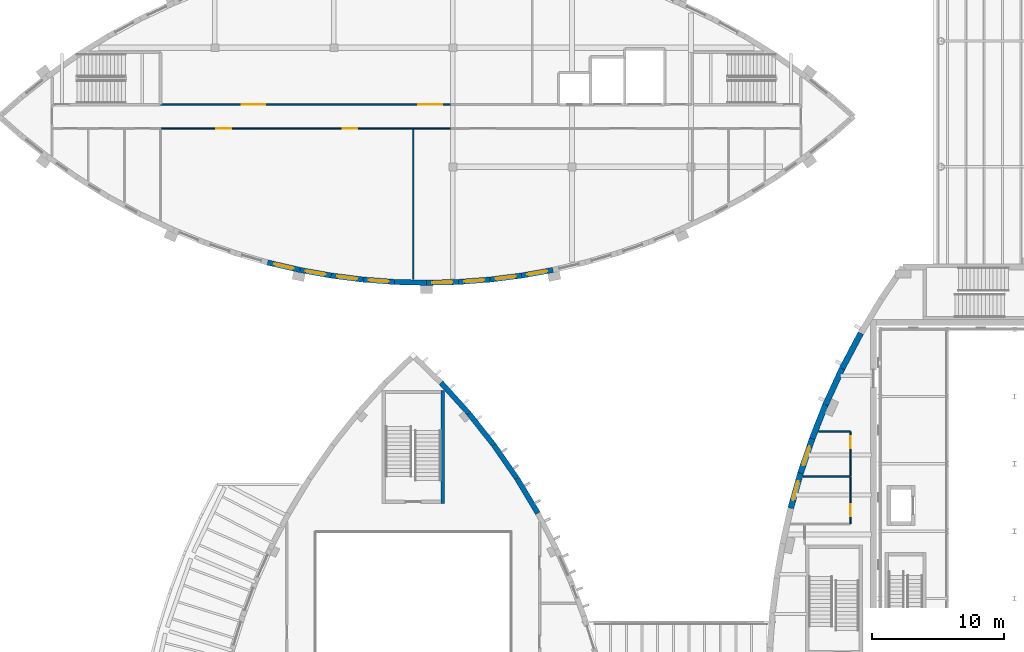
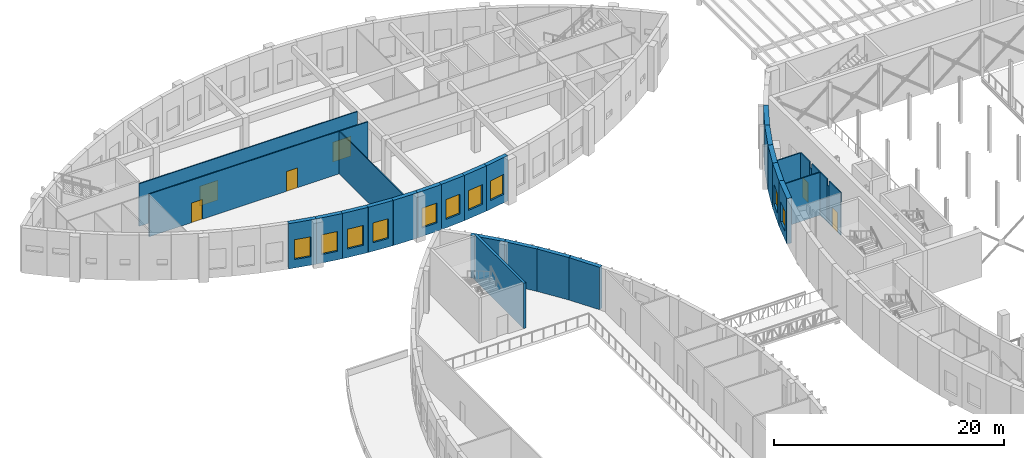
# One storey, part 65 of 93: 31 walls, 10 windows, 6 doors, 16 openings.
"""IFC4 building model written with IfcOpenShell, lengths in metres."""

from ifc_helpers import new_model, si_unit, direction, frame, frame_2d, origin, place, context, subcontext, project, spatial, rectangle, extrude, material, layer, layer_set, type_object, element, fill, save


model = new_model("IFC4")

# Units and contexts
model_context = context("Model", 3, precision=1e-05, world=origin(), true_north=direction((0.0, 1.0)))
body_context = subcontext(model_context, "Body", "Model", "MODEL_VIEW")
ifc_project = project(units=[si_unit("LENGTHUNIT", "METRE"), si_unit("AREAUNIT", "SQUARE_METRE"), si_unit("VOLUMEUNIT", "CUBIC_METRE"), si_unit("PLANEANGLEUNIT", "RADIAN"), si_unit("MASSUNIT", "GRAM", prefix="KILO")], contexts=[model_context])

# Site, building, storey
site_placement = place(None, origin())
site = spatial("IfcSite", under=ifc_project, at=site_placement, CompositionType="ELEMENT")
building_placement = place(site_placement, origin())
building = spatial("IfcBuilding", under=site, at=building_placement, Name="Tide Square Theatres", CompositionType="ELEMENT")
storey_placement = place(building_placement, frame((0.0, 0.0, 5.39990234375)))
storey = spatial("IfcBuildingStorey", under=building, at=storey_placement, Name="L01", CompositionType="ELEMENT", Elevation=5.39990234375)

# Wall, openings, doors
ifc_material_1 = material(Name="Gypsum board on steel studs", Category="steel")
ifc_layer_1 = layer(ifc_material_1, 0.10009765625)
ifc_layer_set_1 = layer_set([ifc_layer_1], Name="Gypsum board on steel studs")
wall_type_1 = type_object("IfcWallType", Name="Partition 100 thick", PredefinedType="PARTITIONING", material=ifc_layer_set_1)
wall_1_placement = place(storey_placement, frame((36.0, 96.89990234375, 0.0), z_axis=(0.0, 0.0, 1.0), x_axis=(-1.0, 0.0, 0.0)))
wall_1 = element("IfcWall", 1, at=wall_1_placement, inside=storey, type_object=wall_type_1, Name="Scenery Workshops partition", PredefinedType="PARTITIONING", context=body_context, shape_type="SweptSolid", body=[
    extrude(rectangle(XDim=19.10009765625, YDim=0.10009765625, at=frame_2d((9.550048828125, 0.0))), origin(), (0.0, 0.0, 1.0), 4.52001953125),
])
opening_1_placement = place(wall_1_placement, frame((13.77490234375, 0.0, 0.0)))
opening_1 = element("IfcOpeningElement", 2, at=opening_1_placement, cuts=wall_1, Name="Opening W1-09", PredefinedType="OPENING", context=body_context, shape_type="SweptSolid", body=[
    extrude(rectangle(XDim=1.10009765625, YDim=2.10009765625, at=frame_2d((0.550048828125, 1.050048828125))), frame((0.0, 0.06005859375, 0.0), z_axis=(0.0, -1.0, 0.0), x_axis=(1.0, 0.0, 0.0)), (0.0, 0.0, 1.0), 0.1201171875),
])
opening_2_placement = place(wall_1_placement, frame((4.22509765625, 0.0, 0.0)))
opening_2 = element("IfcOpeningElement", 3, at=opening_2_placement, cuts=wall_1, Name="Opening W1-10", PredefinedType="OPENING", context=body_context, shape_type="SweptSolid", body=[
    extrude(rectangle(XDim=1.10009765625, YDim=2.10009765625, at=frame_2d((0.550048828125, 1.050048828125))), frame((0.0, 0.06005859375, 0.0), z_axis=(0.0, -1.0, 0.0), x_axis=(1.0, 0.0, 0.0)), (0.0, 0.0, 1.0), 0.1201171875),
])
ifc_material_2 = material(Name="Painted steel", Category="steel")
door_type_1 = type_object("IfcDoorType", Name="Door 1100 x 2100 single leaf", OperationType="NOTDEFINED", PredefinedType="DOOR", material=ifc_material_2)
door_1_placement = place(opening_1_placement, origin())
door_1 = element("IfcDoor", 4, at=door_1_placement, inside=storey, type_object=door_type_1, Name="Scenery Workshops door W1-09 to Paint Workshop", OperationType="SINGLE_SWING_RIGHT", OverallHeight=2.10009765625, OverallWidth=1.10009765625, PredefinedType="DOOR", context=body_context, shape_type="SweptSolid", body=[
    extrude(rectangle(XDim=1.10009765625, YDim=2.10009765625, at=frame_2d((0.550048828125, 1.050048828125))), frame((0.0, 0.02490234375, 0.0), z_axis=(0.0, -1.0, 0.0), x_axis=(1.0, 0.0, 0.0)), (0.0, 0.0, 1.0), 0.050048828125),
])
fill(opening_1, door_1)
door_2_placement = place(opening_2_placement, origin())
door_2 = element("IfcDoor", 5, at=door_2_placement, inside=storey, type_object=door_type_1, Name="Scenery Workshops door W1-10 to Paint Workshop", OperationType="SINGLE_SWING_LEFT", OverallHeight=2.10009765625, OverallWidth=1.10009765625, PredefinedType="DOOR", context=body_context, shape_type="SweptSolid", body=[
    extrude(rectangle(XDim=1.10009765625, YDim=2.10009765625, at=frame_2d((0.550048828125, 1.050048828125))), frame((0.0, 0.02490234375, 0.0), z_axis=(0.0, -1.0, 0.0), x_axis=(1.0, 0.0, 0.0)), (0.0, 0.0, 1.0), 0.050048828125),
])
fill(opening_2, door_2)

wall_2_placement = place(storey_placement, frame((16.929931640625, 98.699951171875, 0.0), z_axis=(0.0, 0.0, 1.0), x_axis=(1.0, 0.0, 0.0)))
wall_2 = element("IfcWall", 6, at=wall_2_placement, inside=storey, type_object=wall_type_1, Name="Scenery Workshops partition", PredefinedType="PARTITIONING", context=body_context, shape_type="SweptSolid", body=[
    extrude(rectangle(XDim=21.89501953125, YDim=0.10009765625, at=frame_2d((10.947509765625, 0.0))), origin(), (0.0, 0.0, 1.0), 4.52001953125),
])
opening_3_placement = place(wall_2_placement, frame((19.445068359375, 0.0, 0.0)))
opening_3 = element("IfcOpeningElement", 7, at=opening_3_placement, cuts=wall_2, Name="Opening W1-13", PredefinedType="OPENING", context=body_context, shape_type="SweptSolid", body=[
    extrude(rectangle(XDim=1.800048828125, YDim=2.10009765625, at=frame_2d((0.89990234375, 1.050048828125))), frame((0.0, 0.06005859375, 0.0), z_axis=(0.0, -1.0, 0.0), x_axis=(1.0, 0.0, 0.0)), (0.0, 0.0, 1.0), 0.1201171875),
])
opening_4_placement = place(wall_2_placement, frame((6.094970703125, 0.0, 0.0)))
opening_4 = element("IfcOpeningElement", 8, at=opening_4_placement, cuts=wall_2, Name="Opening W1-14", PredefinedType="OPENING", context=body_context, shape_type="SweptSolid", body=[
    extrude(rectangle(XDim=1.800048828125, YDim=2.10009765625, at=frame_2d((0.89990234375, 1.050048828125))), frame((0.0, 0.06005859375, 0.0), z_axis=(0.0, -1.0, 0.0), x_axis=(1.0, 0.0, 0.0)), (0.0, 0.0, 1.0), 0.1201171875),
])
ifc_material_3 = material(Name="Hardwood timber", Category="wood")
door_type_2 = type_object("IfcDoorType", Name="Door 1800 x 2100 double leaf", OperationType="DOUBLE_DOOR_SINGLE_SWING", PredefinedType="DOOR", material=ifc_material_3)
door_3_placement = place(opening_3_placement, origin())
door_3 = element("IfcDoor", 9, at=door_3_placement, inside=storey, type_object=door_type_2, Name="Scenery Workshops door W1-13 to Costume Workshop", OperationType="DOUBLE_DOOR_SINGLE_SWING", OverallHeight=2.10009765625, OverallWidth=1.800048828125, PredefinedType="DOOR", context=body_context, shape_type="SweptSolid", body=[
    extrude(rectangle(XDim=1.800048828125, YDim=2.10009765625, at=frame_2d((0.89990234375, 1.050048828125))), frame((0.0, 0.02490234375, 0.0), z_axis=(0.0, -1.0, 0.0), x_axis=(1.0, 0.0, 0.0)), (0.0, 0.0, 1.0), 0.050048828125),
])
fill(opening_3, door_3)
door_4_placement = place(opening_4_placement, origin())
door_4 = element("IfcDoor", 10, at=door_4_placement, inside=storey, type_object=door_type_2, Name="Scenery Workshops door W1-14 to Costume Workshop", OperationType="DOUBLE_DOOR_SINGLE_SWING", OverallHeight=2.10009765625, OverallWidth=1.800048828125, PredefinedType="DOOR", context=body_context, shape_type="SweptSolid", body=[
    extrude(rectangle(XDim=1.800048828125, YDim=2.10009765625, at=frame_2d((0.89990234375, 1.050048828125))), frame((0.0, 0.02490234375, 0.0), z_axis=(0.0, -1.0, 0.0), x_axis=(1.0, 0.0, 0.0)), (0.0, 0.0, 1.0), 0.050048828125),
])
fill(opening_4, door_4)

# Walls
wall_3_placement = place(storey_placement, frame((36.0, 96.8701171875, 0.0), z_axis=(0.0, 0.0, 1.0), x_axis=(0.0, -1.0, 0.0)))
element("IfcWall", 11, at=wall_3_placement, inside=storey, type_object=wall_type_1, Name="Scenery Workshops partition", PredefinedType="PARTITIONING", context=body_context, shape_type="SweptSolid", body=[
    extrude(rectangle(XDim=11.363525390625, YDim=0.10009765625, at=frame_2d((5.681640625, 0.0))), origin(), (0.0, 0.0, 1.0), 4.52001953125),
])
wall_4_placement = place(storey_placement, frame((38.824951171875, 96.89990234375, 0.0), z_axis=(0.0, 0.0, 1.0), x_axis=(-1.0, 0.0, 0.0)))
element("IfcWall", 12, at=wall_4_placement, inside=storey, type_object=wall_type_1, Name="Scenery Workshops partition", PredefinedType="PARTITIONING", context=body_context, shape_type="SweptSolid", body=[
    extrude(rectangle(XDim=2.824951171875, YDim=0.10009765625, at=frame_2d((1.41259765625, 0.0))), origin(), (0.0, 0.0, 1.0), 4.52001953125),
])
wall_5_placement = place(storey_placement, frame((65.482177734375, 70.60009765625, 0.0), z_axis=(0.0, 0.0, 1.0), x_axis=(1.0, 0.0, 0.0)))
element("IfcWall", 13, at=wall_5_placement, inside=storey, type_object=wall_type_1, Name="Partition", PredefinedType="PARTITIONING", context=body_context, shape_type="SweptSolid", body=[
    extrude(rectangle(XDim=3.5478515625, YDim=0.10009765625, at=frame_2d((1.77392578125, 0.0))), origin(), (0.0, 0.0, 1.0), 4.550048828125),
])
wall_6_placement = place(storey_placement, frame((66.653076171875, 74.0, 0.0), z_axis=(0.0, 0.0, 1.0), x_axis=(1.0, 0.0, 0.0)))
element("IfcWall", 14, at=wall_6_placement, inside=storey, type_object=wall_type_1, Name="Partition", PredefinedType="PARTITIONING", context=body_context, shape_type="SweptSolid", body=[
    extrude(rectangle(XDim=2.36376953125, YDim=0.10009765625, at=frame_2d((1.181884765625, 0.0))), origin(), (0.0, 0.0, 1.0), 4.550048828125),
])
wall_7_placement = place(storey_placement, frame((69.050048828125, 70.56689453125, 0.0), z_axis=(0.0, 0.0, 1.0), x_axis=(0.0, -1.0, 0.0)))
element("IfcWall", 15, at=wall_7_placement, inside=storey, type_object=wall_type_1, Name="Partition", PredefinedType="PARTITIONING", context=body_context, shape_type="SweptSolid", body=[
    extrude(rectangle(XDim=1.18701171875, YDim=0.10009765625, at=frame_2d((0.593505859375, 0.0))), origin(), (0.0, 0.0, 1.0), 4.550048828125),
])
wall_8_placement = place(storey_placement, frame((69.050048828125, 69.3798828125, 0.0), z_axis=(0.0, 0.0, 1.0), x_axis=(0.0, -1.0, 0.0)))
element("IfcWall", 16, at=wall_8_placement, inside=storey, type_object=wall_type_1, Name="Partition", PredefinedType="PARTITIONING", context=body_context, shape_type="SweptSolid", body=[
    extrude(rectangle(XDim=0.35986328125, YDim=0.10009765625, at=frame_2d((0.179931640625, 0.0))), origin(), (0.0, 0.0, 1.0), 3.920166015625),
])

# Wall, opening, door
wall_9_placement = place(storey_placement, frame((69.050048828125, 69.02001953125, 0.0), z_axis=(0.0, 0.0, 1.0), x_axis=(0.0, -1.0, 0.0)))
wall_9 = element("IfcWall", 17, at=wall_9_placement, inside=storey, type_object=wall_type_1, Name="Partition", PredefinedType="PARTITIONING", context=body_context, shape_type="SweptSolid", body=[
    extrude(rectangle(XDim=1.996826171875, YDim=0.10009765625, at=frame_2d((0.99853515625, 0.0))), origin(), (0.0, 0.0, 1.0), 4.550048828125),
])
opening_5_placement = place(wall_9_placement, frame((0.54833984375, 0.0, 0.0)))
opening_5 = element("IfcOpeningElement", 18, at=opening_5_placement, cuts=wall_9, Name="Opening M01-16", PredefinedType="OPENING", context=body_context, shape_type="SweptSolid", body=[
    extrude(rectangle(XDim=0.89990234375, YDim=2.10009765625, at=frame_2d((0.449951171875, 1.050048828125))), frame((0.0, 0.06005859375, 0.0), z_axis=(0.0, -1.0, 0.0), x_axis=(1.0, 0.0, 0.0)), (0.0, 0.0, 1.0), 0.1201171875),
])
ifc_material_4 = material(Name="Hardwood timber", Category="wood")
door_type_3 = type_object("IfcDoorType", Name="Door 900 x 2100 single leaf", OperationType="NOTDEFINED", PredefinedType="DOOR", material=ifc_material_4)
door_5_placement = place(opening_5_placement, frame((0.89990234375, 0.0, 0.0), z_axis=(0.0, 0.0, 1.0), x_axis=(-1.0, 0.0, 0.0)))
door_5 = element("IfcDoor", 19, at=door_5_placement, inside=storey, type_object=door_type_3, Name="Principal Dressing Room 01 door", OperationType="SINGLE_SWING_LEFT", OverallHeight=2.10009765625, OverallWidth=0.89990234375, PredefinedType="DOOR", context=body_context, shape_type="SweptSolid", body=[
    extrude(rectangle(XDim=0.89990234375, YDim=2.10009765625, at=frame_2d((0.449951171875, 1.050048828125))), frame((0.0, 0.02490234375, 0.0), z_axis=(0.0, -1.0, 0.0), x_axis=(1.0, 0.0, 0.0)), (0.0, 0.0, 1.0), 0.050048828125),
])
fill(opening_5, door_5)

wall_10_placement = place(storey_placement, frame((69.050048828125, 73.976806640625, 0.0), z_axis=(0.0, 0.0, 1.0), x_axis=(0.0, -1.0, 0.0)))
wall_10 = element("IfcWall", 20, at=wall_10_placement, inside=storey, type_object=wall_type_1, Name="Partition", PredefinedType="PARTITIONING", context=body_context, shape_type="SweptSolid", body=[
    extrude(rectangle(XDim=1.596923828125, YDim=0.10009765625, at=frame_2d((0.79833984375, 0.0))), origin(), (0.0, 0.0, 1.0), 4.550048828125),
])
opening_6_placement = place(wall_10_placement, frame((0.348388671875, 0.0, 0.0)))
opening_6 = element("IfcOpeningElement", 21, at=opening_6_placement, cuts=wall_10, Name="Opening M01-18", PredefinedType="OPENING", context=body_context, shape_type="SweptSolid", body=[
    extrude(rectangle(XDim=0.89990234375, YDim=2.10009765625, at=frame_2d((0.449951171875, 1.050048828125))), frame((0.0, 0.06005859375, 0.0), z_axis=(0.0, -1.0, 0.0), x_axis=(1.0, 0.0, 0.0)), (0.0, 0.0, 1.0), 0.1201171875),
])
door_6_placement = place(opening_6_placement, frame((0.89990234375, 0.0, 0.0), z_axis=(0.0, 0.0, 1.0), x_axis=(-1.0, 0.0, 0.0)))
door_6 = element("IfcDoor", 22, at=door_6_placement, inside=storey, type_object=door_type_3, Name="Principal Dressing Room 02 door", OperationType="SINGLE_SWING_LEFT", OverallHeight=2.10009765625, OverallWidth=0.89990234375, PredefinedType="DOOR", context=body_context, shape_type="SweptSolid", body=[
    extrude(rectangle(XDim=0.89990234375, YDim=2.10009765625, at=frame_2d((0.449951171875, 1.050048828125))), frame((0.0, 0.02490234375, 0.0), z_axis=(0.0, -1.0, 0.0), x_axis=(1.0, 0.0, 0.0)), (0.0, 0.0, 1.0), 0.050048828125),
])
fill(opening_6, door_6)

# Walls
wall_11_placement = place(storey_placement, frame((69.050048828125, 72.3798828125, 0.0), z_axis=(0.0, 0.0, 1.0), x_axis=(0.0, -1.0, 0.0)))
element("IfcWall", 23, at=wall_11_placement, inside=storey, type_object=wall_type_1, Name="Partition", PredefinedType="PARTITIONING", context=body_context, shape_type="SweptSolid", body=[
    extrude(rectangle(XDim=0.35986328125, YDim=0.10009765625, at=frame_2d((0.179931640625, 0.0))), origin(), (0.0, 0.0, 1.0), 3.920166015625),
])
wall_12_placement = place(storey_placement, frame((69.050048828125, 72.02001953125, 0.0), z_axis=(0.0, 0.0, 1.0), x_axis=(0.0, -1.0, 0.0)))
element("IfcWall", 24, at=wall_12_placement, inside=storey, type_object=wall_type_1, Name="Partition", PredefinedType="PARTITIONING", context=body_context, shape_type="SweptSolid", body=[
    extrude(rectangle(XDim=1.38671875, YDim=0.10009765625, at=frame_2d((0.693359375, 0.0))), origin(), (0.0, 0.0, 1.0), 4.550048828125),
])
ifc_material_5 = material(Name="Concrete C40", Category="concrete")
ifc_layer_2 = layer(ifc_material_5, 0.39990234375)
ifc_layer_set_2 = layer_set([ifc_layer_2], Name="Concrete C40")
wall_type_2 = type_object("IfcWallType", Name="RC curved wall 400 thick", PredefinedType="SOLIDWALL", material=ifc_layer_set_2)
wall_13_placement = place(storey_placement, frame((45.421630859375, 67.813720703125, 0.0), z_axis=(0.0, 0.0, 1.0), x_axis=(-0.515387841983, 0.856957042293, 0.0)))
element("IfcWall", 25, at=wall_13_placement, inside=storey, type_object=wall_type_2, Name="Studio Theatre perimeter wall", PredefinedType="SOLIDWALL", context=body_context, shape_type="SweptSolid", body=[
    extrude(rectangle(XDim=3.057861328125, YDim=0.39990234375, at=frame_2d((1.52880859375, 0.0))), origin(), (0.0, 0.0, 1.0), 4.5),
])
for number, where, z_axis, x_axis, name in (
    (26, (43.838623046875, 70.44482421875, 0.0), (0.0, 0.0, 1.0), (-0.569371892655, 0.822080073871, 0.0), "Studio Theatre perimeter wall"),
    (27, (42.08984375, 72.968994140625, 0.0), (0.0, 0.0, 1.0), (-0.620958553355, 0.783843399548, 0.0), "Studio Theatre perimeter wall"),
):
    element("IfcWall", number, at=place(storey_placement, frame(where, z_axis=z_axis, x_axis=x_axis)), inside=storey, type_object=wall_type_2, Name=name, PredefinedType="SOLIDWALL", context=body_context, shape_type="SweptSolid", body=[
        extrude(rectangle(XDim=3.0576171875, YDim=0.39990234375, at=frame_2d((1.52880859375, 0.0))), origin(), (0.0, 0.0, 1.0), 4.5),
    ])
wall_14_placement = place(storey_placement, frame((40.182861328125, 75.37548828125, 0.0), z_axis=(0.0, 0.0, 1.0), x_axis=(-0.67038553216, 0.742012963681, 0.0)))
element("IfcWall", 28, at=wall_14_placement, inside=storey, type_object=wall_type_2, Name="Studio Theatre perimeter wall", PredefinedType="SOLIDWALL", context=body_context, shape_type="SweptSolid", body=[
    extrude(rectangle(XDim=3.101806640625, YDim=0.39990234375, at=frame_2d((1.55078125, 0.0))), origin(), (0.0, 0.0, 1.0), 4.5),
])

# Wall, opening, window
wall_15_placement = place(storey_placement, frame((24.99365234375, 86.763671875, 0.0), z_axis=(0.0, 0.0, 1.0), x_axis=(0.974210649093, -0.225640446716, 0.0)))
wall_15 = element("IfcWall", 29, at=wall_15_placement, inside=storey, type_object=wall_type_2, Name="Scenery Workshops perimeter wall 009", PredefinedType="SOLIDWALL", context=body_context, shape_type="SweptSolid", body=[
    extrude(rectangle(XDim=2.51123046875, YDim=0.39990234375, at=frame_2d((1.255615234375, 0.0))), origin(), (0.0, 0.0, 1.0), 4.800048828125),
])
opening_7_placement = place(wall_15_placement, frame((0.505615234375, 0.0, 0.89990234375)))
opening_7 = element("IfcOpeningElement", 30, at=opening_7_placement, cuts=wall_15, Name="Opening WN-01", PredefinedType="OPENING", context=body_context, shape_type="SweptSolid", body=[
    extrude(rectangle(XDim=1.5, YDim=2.10009765625, at=frame_2d((0.75, 1.050048828125))), frame((0.0, 0.2099609375, 0.0), z_axis=(0.0, -1.0, 0.0), x_axis=(1.0, 0.0, 0.0)), (0.0, 0.0, 1.0), 0.419921875),
])
ifc_material_6 = material(Name="Aluminium with laminated glass", Category="aluminium")
window_type = type_object("IfcWindowType", Name="Window 1500 x 2100", PartitioningType="SINGLE_PANEL", PredefinedType="WINDOW", material=ifc_material_6)
window_1_placement = place(opening_7_placement, origin())
window_1 = element("IfcWindow", 31, at=window_1_placement, inside=storey, type_object=window_type, Name="Scenery Workshops window L01-52", OverallHeight=2.10009765625, OverallWidth=1.5, PartitioningType="SINGLE_PANEL", PredefinedType="WINDOW", context=body_context, shape_type="SweptSolid", body=[
    extrude(rectangle(XDim=1.5, YDim=2.10009765625, at=frame_2d((0.75, 1.050048828125))), frame((0.0, 0.030029296875, 0.0), z_axis=(0.0, -1.0, 0.0), x_axis=(1.0, 0.0, 0.0)), (0.0, 0.0, 1.0), 0.06005859375),
])
fill(opening_7, window_1)

wall_16_placement = place(storey_placement, frame((27.440185546875, 86.197021484375, 0.0), z_axis=(0.0, 0.0, 1.0), x_axis=(0.984524011381, -0.175249738987, 0.0)))
wall_16 = element("IfcWall", 32, at=wall_16_placement, inside=storey, type_object=wall_type_2, Name="Scenery Workshops perimeter wall 010", PredefinedType="SOLIDWALL", context=body_context, shape_type="SweptSolid", body=[
    extrude(rectangle(XDim=2.406005859375, YDim=0.39990234375, at=frame_2d((1.203125, 0.0))), origin(), (0.0, 0.0, 1.0), 4.800048828125),
])
opening_8_placement = place(wall_16_placement, frame((0.452880859375, 0.0, 0.89990234375)))
opening_8 = element("IfcOpeningElement", 33, at=opening_8_placement, cuts=wall_16, Name="Opening WN-01", PredefinedType="OPENING", context=body_context, shape_type="SweptSolid", body=[
    extrude(rectangle(XDim=1.5, YDim=2.10009765625, at=frame_2d((0.75, 1.050048828125))), frame((0.0, 0.2099609375, 0.0), z_axis=(0.0, -1.0, 0.0), x_axis=(1.0, 0.0, 0.0)), (0.0, 0.0, 1.0), 0.419921875),
])
window_2_placement = place(opening_8_placement, origin())
window_2 = element("IfcWindow", 34, at=window_2_placement, inside=storey, type_object=window_type, Name="Scenery Workshops window L01-53", OverallHeight=2.10009765625, OverallWidth=1.5, PartitioningType="SINGLE_PANEL", PredefinedType="WINDOW", context=body_context, shape_type="SweptSolid", body=[
    extrude(rectangle(XDim=1.5, YDim=2.10009765625, at=frame_2d((0.75, 1.050048828125))), frame((0.0, 0.030029296875, 0.0), z_axis=(0.0, -1.0, 0.0), x_axis=(1.0, 0.0, 0.0)), (0.0, 0.0, 1.0), 0.06005859375),
])
fill(opening_8, window_2)

wall_17_placement = place(storey_placement, frame((29.808837890625, 85.775390625, 0.0), z_axis=(0.0, 0.0, 1.0), x_axis=(0.99208939311, -0.125533406227, 0.0)))
wall_17 = element("IfcWall", 35, at=wall_17_placement, inside=storey, type_object=wall_type_2, Name="Scenery Workshops perimeter wall 011", PredefinedType="SOLIDWALL", context=body_context, shape_type="SweptSolid", body=[
    extrude(rectangle(XDim=2.40576171875, YDim=0.39990234375, at=frame_2d((1.202880859375, 0.0))), origin(), (0.0, 0.0, 1.0), 4.800048828125),
])
opening_9_placement = place(wall_17_placement, frame((0.452880859375, 0.0, 0.89990234375)))
opening_9 = element("IfcOpeningElement", 36, at=opening_9_placement, cuts=wall_17, Name="Opening WN-01", PredefinedType="OPENING", context=body_context, shape_type="SweptSolid", body=[
    extrude(rectangle(XDim=1.5, YDim=2.10009765625, at=frame_2d((0.75, 1.050048828125))), frame((0.0, 0.2099609375, 0.0), z_axis=(0.0, -1.0, 0.0), x_axis=(1.0, 0.0, 0.0)), (0.0, 0.0, 1.0), 0.419921875),
])
window_3_placement = place(opening_9_placement, origin())
window_3 = element("IfcWindow", 37, at=window_3_placement, inside=storey, type_object=window_type, Name="Scenery Workshops window L01-54", OverallHeight=2.10009765625, OverallWidth=1.5, PartitioningType="SINGLE_PANEL", PredefinedType="WINDOW", context=body_context, shape_type="SweptSolid", body=[
    extrude(rectangle(XDim=1.5, YDim=2.10009765625, at=frame_2d((0.75, 1.050048828125))), frame((0.0, 0.030029296875, 0.0), z_axis=(0.0, -1.0, 0.0), x_axis=(1.0, 0.0, 0.0)), (0.0, 0.0, 1.0), 0.06005859375),
])
fill(opening_9, window_3)

wall_18_placement = place(storey_placement, frame((32.195556640625, 85.473388671875, 0.0), z_axis=(0.0, 0.0, 1.0), x_axis=(0.997146276918, -0.075493724435, 0.0)))
wall_18 = element("IfcWall", 38, at=wall_18_placement, inside=storey, type_object=wall_type_2, Name="Scenery Workshops perimeter wall 012", PredefinedType="SOLIDWALL", context=body_context, shape_type="SweptSolid", body=[
    extrude(rectangle(XDim=2.406005859375, YDim=0.39990234375, at=frame_2d((1.203125, 0.0))), origin(), (0.0, 0.0, 1.0), 4.800048828125),
])
opening_10_placement = place(wall_18_placement, frame((0.452880859375, 0.0, 0.89990234375)))
opening_10 = element("IfcOpeningElement", 39, at=opening_10_placement, cuts=wall_18, Name="Opening WN-01", PredefinedType="OPENING", context=body_context, shape_type="SweptSolid", body=[
    extrude(rectangle(XDim=1.5, YDim=2.10009765625, at=frame_2d((0.75, 1.050048828125))), frame((0.0, 0.2099609375, 0.0), z_axis=(0.0, -1.0, 0.0), x_axis=(1.0, 0.0, 0.0)), (0.0, 0.0, 1.0), 0.419921875),
])
window_4_placement = place(opening_10_placement, origin())
window_4 = element("IfcWindow", 40, at=window_4_placement, inside=storey, type_object=window_type, Name="Scenery Workshops window L01-55", OverallHeight=2.10009765625, OverallWidth=1.5, PartitioningType="SINGLE_PANEL", PredefinedType="WINDOW", context=body_context, shape_type="SweptSolid", body=[
    extrude(rectangle(XDim=1.5, YDim=2.10009765625, at=frame_2d((0.75, 1.050048828125))), frame((0.0, 0.030029296875, 0.0), z_axis=(0.0, -1.0, 0.0), x_axis=(1.0, 0.0, 0.0)), (0.0, 0.0, 1.0), 0.06005859375),
])
fill(opening_10, window_4)

# Wall
wall_19_placement = place(storey_placement, frame((34.5947265625, 85.291748046875, 0.0), z_axis=(0.0, 0.0, 1.0), x_axis=(0.999683321759, -0.025164582196, 0.0)))
element("IfcWall", 41, at=wall_19_placement, inside=storey, type_object=wall_type_2, Name="Scenery Workshops perimeter wall 013", PredefinedType="SOLIDWALL", context=body_context, shape_type="SweptSolid", body=[
    extrude(rectangle(XDim=2.406005859375, YDim=0.39990234375, at=frame_2d((1.203125, 0.0))), origin(), (0.0, 0.0, 1.0), 4.800048828125),
])

# Wall, opening, window
wall_20_placement = place(storey_placement, frame((37.0, 85.231201171875, 0.0), z_axis=(0.0, 0.0, 1.0), x_axis=(0.999683321759, 0.025164582196, 0.0)))
wall_20 = element("IfcWall", 42, at=wall_20_placement, inside=storey, type_object=wall_type_2, Name="Scenery Workshops perimeter wall 014", PredefinedType="SOLIDWALL", context=body_context, shape_type="SweptSolid", body=[
    extrude(rectangle(XDim=2.406005859375, YDim=0.39990234375, at=frame_2d((1.203125, 0.0))), origin(), (0.0, 0.0, 1.0), 4.800048828125),
])
opening_11_placement = place(wall_20_placement, frame((0.452880859375, 0.0, 0.89990234375)))
opening_11 = element("IfcOpeningElement", 43, at=opening_11_placement, cuts=wall_20, Name="Opening WN-01", PredefinedType="OPENING", context=body_context, shape_type="SweptSolid", body=[
    extrude(rectangle(XDim=1.5, YDim=2.10009765625, at=frame_2d((0.75, 1.050048828125))), frame((0.0, 0.2099609375, 0.0), z_axis=(0.0, -1.0, 0.0), x_axis=(1.0, 0.0, 0.0)), (0.0, 0.0, 1.0), 0.419921875),
])
window_5_placement = place(opening_11_placement, origin())
window_5 = element("IfcWindow", 44, at=window_5_placement, inside=storey, type_object=window_type, Name="Scenery Workshops window L01-56", OverallHeight=2.10009765625, OverallWidth=1.5, PartitioningType="SINGLE_PANEL", PredefinedType="WINDOW", context=body_context, shape_type="SweptSolid", body=[
    extrude(rectangle(XDim=1.5, YDim=2.10009765625, at=frame_2d((0.75, 1.050048828125))), frame((0.0, 0.030029296875, 0.0), z_axis=(0.0, -1.0, 0.0), x_axis=(1.0, 0.0, 0.0)), (0.0, 0.0, 1.0), 0.06005859375),
])
fill(opening_11, window_5)

wall_21_placement = place(storey_placement, frame((39.4052734375, 85.291748046875, 0.0), z_axis=(0.0, 0.0, 1.0), x_axis=(0.997146276918, 0.075493724435, 0.0)))
wall_21 = element("IfcWall", 45, at=wall_21_placement, inside=storey, type_object=wall_type_2, Name="Scenery Workshops perimeter wall 015", PredefinedType="SOLIDWALL", context=body_context, shape_type="SweptSolid", body=[
    extrude(rectangle(XDim=2.406005859375, YDim=0.39990234375, at=frame_2d((1.203125, 0.0))), origin(), (0.0, 0.0, 1.0), 4.800048828125),
])
opening_12_placement = place(wall_21_placement, frame((0.452880859375, 0.0, 0.89990234375)))
opening_12 = element("IfcOpeningElement", 46, at=opening_12_placement, cuts=wall_21, Name="Opening WN-01", PredefinedType="OPENING", context=body_context, shape_type="SweptSolid", body=[
    extrude(rectangle(XDim=1.5, YDim=2.10009765625, at=frame_2d((0.75, 1.050048828125))), frame((0.0, 0.2099609375, 0.0), z_axis=(0.0, -1.0, 0.0), x_axis=(1.0, 0.0, 0.0)), (0.0, 0.0, 1.0), 0.419921875),
])
window_6_placement = place(opening_12_placement, origin())
window_6 = element("IfcWindow", 47, at=window_6_placement, inside=storey, type_object=window_type, Name="Scenery Workshops window L01-57", OverallHeight=2.10009765625, OverallWidth=1.5, PartitioningType="SINGLE_PANEL", PredefinedType="WINDOW", context=body_context, shape_type="SweptSolid", body=[
    extrude(rectangle(XDim=1.5, YDim=2.10009765625, at=frame_2d((0.75, 1.050048828125))), frame((0.0, 0.030029296875, 0.0), z_axis=(0.0, -1.0, 0.0), x_axis=(1.0, 0.0, 0.0)), (0.0, 0.0, 1.0), 0.06005859375),
])
fill(opening_12, window_6)

wall_22_placement = place(storey_placement, frame((41.804443359375, 85.473388671875, 0.0), z_axis=(0.0, 0.0, 1.0), x_axis=(0.99208939311, 0.125533406227, 0.0)))
wall_22 = element("IfcWall", 48, at=wall_22_placement, inside=storey, type_object=wall_type_2, Name="Scenery Workshops perimeter wall 016", PredefinedType="SOLIDWALL", context=body_context, shape_type="SweptSolid", body=[
    extrude(rectangle(XDim=2.40576171875, YDim=0.39990234375, at=frame_2d((1.202880859375, 0.0))), origin(), (0.0, 0.0, 1.0), 4.800048828125),
])
opening_13_placement = place(wall_22_placement, frame((0.452880859375, 0.0, 0.89990234375)))
opening_13 = element("IfcOpeningElement", 49, at=opening_13_placement, cuts=wall_22, Name="Opening WN-01", PredefinedType="OPENING", context=body_context, shape_type="SweptSolid", body=[
    extrude(rectangle(XDim=1.5, YDim=2.10009765625, at=frame_2d((0.75, 1.050048828125))), frame((0.0, 0.2099609375, 0.0), z_axis=(0.0, -1.0, 0.0), x_axis=(1.0, 0.0, 0.0)), (0.0, 0.0, 1.0), 0.419921875),
])
window_7_placement = place(opening_13_placement, origin())
window_7 = element("IfcWindow", 50, at=window_7_placement, inside=storey, type_object=window_type, Name="Scenery Workshops window L01-58", OverallHeight=2.10009765625, OverallWidth=1.5, PartitioningType="SINGLE_PANEL", PredefinedType="WINDOW", context=body_context, shape_type="SweptSolid", body=[
    extrude(rectangle(XDim=1.5, YDim=2.10009765625, at=frame_2d((0.75, 1.050048828125))), frame((0.0, 0.030029296875, 0.0), z_axis=(0.0, -1.0, 0.0), x_axis=(1.0, 0.0, 0.0)), (0.0, 0.0, 1.0), 0.06005859375),
])
fill(opening_13, window_7)

wall_23_placement = place(storey_placement, frame((44.191162109375, 85.775390625, 0.0), z_axis=(0.0, 0.0, 1.0), x_axis=(0.984524011381, 0.175249738987, 0.0)))
wall_23 = element("IfcWall", 51, at=wall_23_placement, inside=storey, type_object=wall_type_2, Name="Scenery Workshops perimeter wall 017", PredefinedType="SOLIDWALL", context=body_context, shape_type="SweptSolid", body=[
    extrude(rectangle(XDim=2.406005859375, YDim=0.39990234375, at=frame_2d((1.203125, 0.0))), origin(), (0.0, 0.0, 1.0), 4.800048828125),
])
opening_14_placement = place(wall_23_placement, frame((0.452880859375, 0.0, 0.89990234375)))
opening_14 = element("IfcOpeningElement", 52, at=opening_14_placement, cuts=wall_23, Name="Opening WN-01", PredefinedType="OPENING", context=body_context, shape_type="SweptSolid", body=[
    extrude(rectangle(XDim=1.5, YDim=2.10009765625, at=frame_2d((0.75, 1.050048828125))), frame((0.0, 0.2099609375, 0.0), z_axis=(0.0, -1.0, 0.0), x_axis=(1.0, 0.0, 0.0)), (0.0, 0.0, 1.0), 0.419921875),
])
window_8_placement = place(opening_14_placement, origin())
window_8 = element("IfcWindow", 53, at=window_8_placement, inside=storey, type_object=window_type, Name="Scenery Workshops window L01-59", OverallHeight=2.10009765625, OverallWidth=1.5, PartitioningType="SINGLE_PANEL", PredefinedType="WINDOW", context=body_context, shape_type="SweptSolid", body=[
    extrude(rectangle(XDim=1.5, YDim=2.10009765625, at=frame_2d((0.75, 1.050048828125))), frame((0.0, 0.030029296875, 0.0), z_axis=(0.0, -1.0, 0.0), x_axis=(1.0, 0.0, 0.0)), (0.0, 0.0, 1.0), 0.06005859375),
])
fill(opening_14, window_8)

# Walls
ifc_material_7 = material(Name="Concrete C40", Category="concrete")
ifc_layer_3 = layer(ifc_material_7, 0.449951171875)
ifc_layer_set_3 = layer_set([ifc_layer_3], Name="Concrete C40")
wall_type_3 = type_object("IfcWallType", Name="RC curved wall 450 thick", PredefinedType="SOLIDWALL", material=ifc_layer_set_3)
wall_24_placement = place(storey_placement, frame((69.830810546875, 81.42529296875, 0.0), z_axis=(0.0, 0.0, 1.0), x_axis=(-0.466728769487, -0.884400506407, 0.0)))
element("IfcWall", 54, at=wall_24_placement, inside=storey, type_object=wall_type_3, Name="Main Theatre perimeter wall", PredefinedType="SOLIDWALL", context=body_context, shape_type="SweptSolid", body=[
    extrude(rectangle(XDim=3.020751953125, YDim=0.449951171875, at=frame_2d((1.51025390625, 0.0))), origin(), (0.0, 0.0, 1.0), 4.800048828125),
])
wall_25_placement = place(storey_placement, frame((68.4208984375, 78.753662109375, 0.0), z_axis=(0.0, 0.0, 1.0), x_axis=(-0.416407051835, -0.909178292296, 0.0)))
element("IfcWall", 55, at=wall_25_placement, inside=storey, type_object=wall_type_3, Name="Main Theatre perimeter wall", PredefinedType="SOLIDWALL", context=body_context, shape_type="SweptSolid", body=[
    extrude(rectangle(XDim=3.021240234375, YDim=0.449951171875, at=frame_2d((1.5107421875, 0.0))), origin(), (0.0, 0.0, 1.0), 4.800048828125),
])
wall_26_placement = place(storey_placement, frame((67.162841796875, 76.0068359375, 0.0), z_axis=(0.0, 0.0, 1.0), x_axis=(-0.366920100653, -0.930252460215, 0.0)))
element("IfcWall", 56, at=wall_26_placement, inside=storey, type_object=wall_type_3, Name="Main Theatre perimeter wall", PredefinedType="SOLIDWALL", context=body_context, shape_type="SweptSolid", body=[
    extrude(rectangle(XDim=2.751953125, YDim=0.449951171875, at=frame_2d((1.3759765625, 0.0))), origin(), (0.0, 0.0, 1.0), 4.800048828125),
])

# Wall, opening, window
wall_27_placement = place(storey_placement, frame((66.153076171875, 73.44677734375, 0.0), z_axis=(0.0, 0.0, 1.0), x_axis=(-0.318887614688, -0.947792534893, 0.0)))
wall_27 = element("IfcWall", 57, at=wall_27_placement, inside=storey, type_object=wall_type_3, Name="Main Theatre perimeter wall", PredefinedType="SOLIDWALL", context=body_context, shape_type="SweptSolid", body=[
    extrude(rectangle(XDim=2.75244140625, YDim=0.449951171875, at=frame_2d((1.376220703125, 0.0))), origin(), (0.0, 0.0, 1.0), 4.800048828125),
])
opening_15_placement = place(wall_27_placement, frame((0.626220703125, 0.0, 0.89990234375)))
opening_15 = element("IfcOpeningElement", 58, at=opening_15_placement, cuts=wall_27, Name="Opening WN-01", PredefinedType="OPENING", context=body_context, shape_type="SweptSolid", body=[
    extrude(rectangle(XDim=1.5, YDim=2.10009765625, at=frame_2d((0.75, 1.050048828125))), frame((0.0, 0.23486328125, 0.0), z_axis=(0.0, -1.0, 0.0), x_axis=(1.0, 0.0, 0.0)), (0.0, 0.0, 1.0), 0.469970703125),
])
window_9_placement = place(opening_15_placement, origin())
window_9 = element("IfcWindow", 59, at=window_9_placement, inside=storey, type_object=window_type, Name="Main Theatre window", OverallHeight=2.10009765625, OverallWidth=1.5, PartitioningType="SINGLE_PANEL", PredefinedType="WINDOW", context=body_context, shape_type="SweptSolid", body=[
    extrude(rectangle(XDim=1.5, YDim=2.10009765625, at=frame_2d((0.75, 1.050048828125))), frame((0.0, 0.030029296875, 0.0), z_axis=(0.0, -1.0, 0.0), x_axis=(1.0, 0.0, 0.0)), (0.0, 0.0, 1.0), 0.06005859375),
])
fill(opening_15, window_9)

wall_28_placement = place(storey_placement, frame((65.275390625, 70.838134765625, 0.0), z_axis=(0.0, 0.0, 1.0), x_axis=(-0.270008269196, -0.962858003324, 0.0)))
wall_28 = element("IfcWall", 60, at=wall_28_placement, inside=storey, type_object=wall_type_3, Name="Main Theatre perimeter wall", PredefinedType="SOLIDWALL", context=body_context, shape_type="SweptSolid", body=[
    extrude(rectangle(XDim=2.75244140625, YDim=0.449951171875, at=frame_2d((1.376220703125, 0.0))), origin(), (0.0, 0.0, 1.0), 4.800048828125),
])
opening_16_placement = place(wall_28_placement, frame((0.626220703125, 0.0, 0.89990234375)))
opening_16 = element("IfcOpeningElement", 61, at=opening_16_placement, cuts=wall_28, Name="Opening WN-01", PredefinedType="OPENING", context=body_context, shape_type="SweptSolid", body=[
    extrude(rectangle(XDim=1.5, YDim=2.10009765625, at=frame_2d((0.75, 1.050048828125))), frame((0.0, 0.23486328125, 0.0), z_axis=(0.0, -1.0, 0.0), x_axis=(1.0, 0.0, 0.0)), (0.0, 0.0, 1.0), 0.469970703125),
])
window_10_placement = place(opening_16_placement, origin())
window_10 = element("IfcWindow", 62, at=window_10_placement, inside=storey, type_object=window_type, Name="Main Theatre window", OverallHeight=2.10009765625, OverallWidth=1.5, PartitioningType="SINGLE_PANEL", PredefinedType="WINDOW", context=body_context, shape_type="SweptSolid", body=[
    extrude(rectangle(XDim=1.5, YDim=2.10009765625, at=frame_2d((0.75, 1.050048828125))), frame((0.0, 0.030029296875, 0.0), z_axis=(0.0, -1.0, 0.0), x_axis=(1.0, 0.0, 0.0)), (0.0, 0.0, 1.0), 0.06005859375),
])
fill(opening_16, window_10)

# Wall
ifc_material_8 = material(Name="Concrete C40", Category="concrete")
ifc_layer_4 = layer(ifc_material_8, 0.25)
ifc_layer_set_4 = layer_set([ifc_layer_4], Name="Concrete C40")
wall_type_4 = type_object("IfcWallType", Name="RC shear wall 250 thick", PredefinedType="SHEAR", material=ifc_layer_set_4)
wall_29_placement = place(storey_placement, frame((38.22509765625, 68.550048828125, 0.0), z_axis=(0.0, 0.0, 1.0), x_axis=(0.0, 1.0, 0.0)))
element("IfcWall", 63, at=wall_29_placement, inside=storey, type_object=wall_type_4, Name="Studio Theatre Stair S1 shaft wall", PredefinedType="SHEAR", context=body_context, shape_type="SweptSolid", body=[
    extrude(rectangle(XDim=8.550048828125, YDim=0.25, at=frame_2d((4.27490234375, 0.0))), origin(), (0.0, 0.0, 1.0), 4.800048828125),
])

save(model, "model.ifc")
